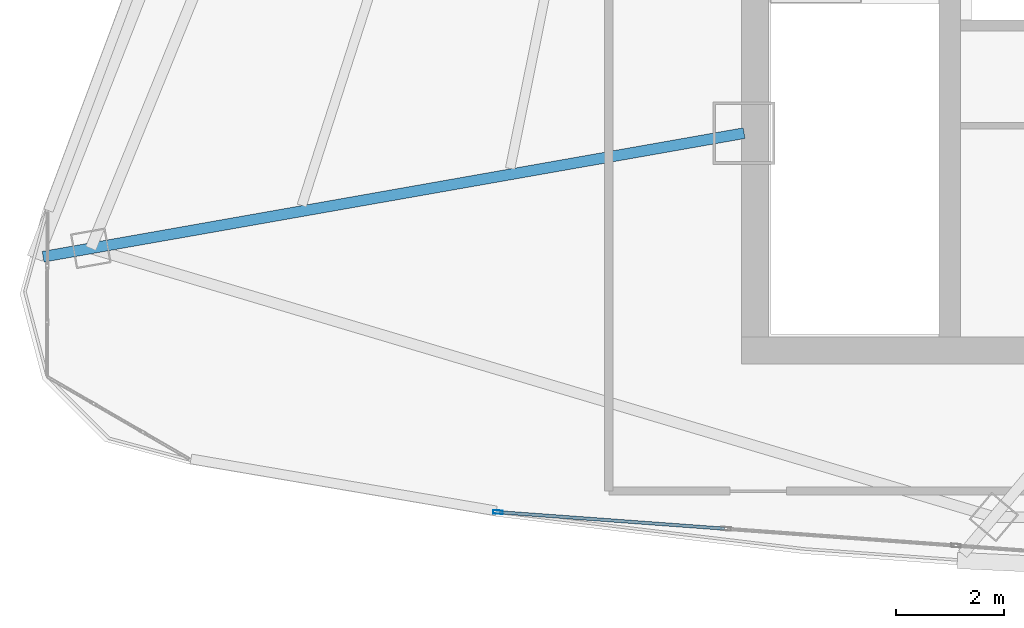
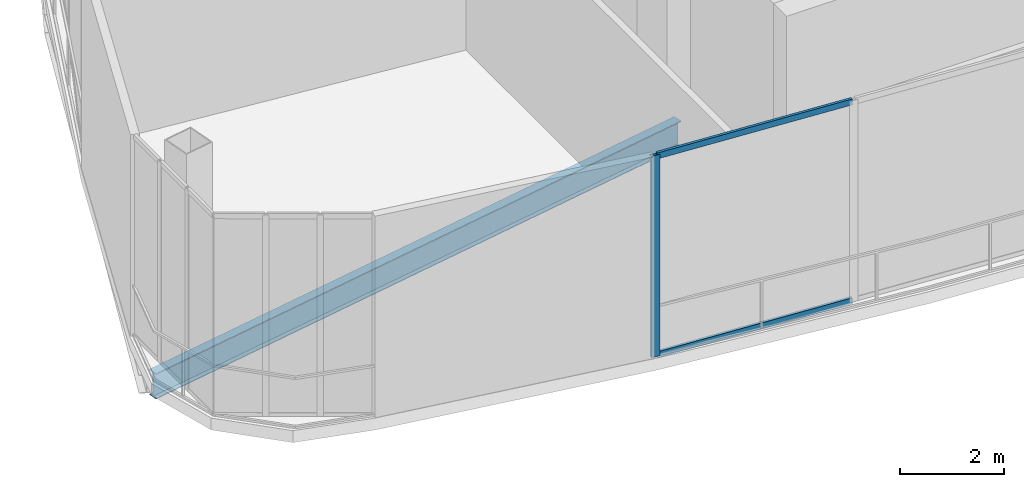
# One storey, part 3 of 32: 3 members, 1 beam, 1 element without a shape of its own.
"""IFC4 building model written with IfcOpenShell, lengths in metres."""

from ifc_helpers import new_model, si_unit, direction, frame, origin, origin_2d, place, context, subcontext, project, spatial, hollow_rectangle, i_section, extrude, source, transform, mapped, material, layer, layer_set, material_profile, profile_set, type_object, element, aggregate, save


model = new_model("IFC4")

# Units and contexts
model_context = context("Model", 3, precision=1e-05, world=origin(), true_north=direction((0.0, 1.0)))
body_context = subcontext(model_context, "Body", "Model", "MODEL_VIEW")
ifc_project = project(units=[si_unit("LENGTHUNIT", "METRE"), si_unit("AREAUNIT", "SQUARE_METRE"), si_unit("VOLUMEUNIT", "CUBIC_METRE"), si_unit("PLANEANGLEUNIT", "RADIAN"), si_unit("MASSUNIT", "GRAM", prefix="KILO"), si_unit("THERMODYNAMICTEMPERATUREUNIT", "KELVIN"), si_unit("POWERUNIT", "WATT")], contexts=[model_context])

# Site, building, storey
site_placement = place(None, origin())
site = spatial("IfcSite", under=ifc_project, at=site_placement, CompositionType="ELEMENT")
building_placement = place(site_placement, origin())
building = spatial("IfcBuilding", under=site, at=building_placement, Name="Yunzhuo Pagoda Commons", CompositionType="ELEMENT")
storey_placement = place(building_placement, frame((0.0, 0.0, 396.760009765625)))
storey = spatial("IfcBuildingStorey", under=building, at=storey_placement, Name="L98", CompositionType="ELEMENT", Elevation=396.760009765625)

# Beam
ifc_material_1 = material(Name="Structural steel Q355B", Category="steel")
ifc_material_profile_1 = material_profile(ifc_material_1, i_section(OverallWidth=0.199951171875, OverallDepth=0.60009765625, WebThickness=0.010986328125, FlangeThickness=0.01708984375, at=origin_2d()), Name="Structural steel Q355B")
ifc_profile_set_1 = profile_set([ifc_material_profile_1], Name="Structural steel Q355B")
beam_type = type_object("IfcBeamType", Name="B-RG3 Beam HN 600x200x11x17", PredefinedType="BEAM", material=ifc_profile_set_1)
shared_shape_1 = source(origin(), body_context, "Body", "SweptSolid", [
    extrude(i_section(OverallWidth=0.199951171875, OverallDepth=0.60009765625, WebThickness=0.010986328125, FlangeThickness=0.01708984375, at=origin_2d()), origin(), (0.0, 0.0, 1.0), 13.151123046875),
])
beam_placement = place(storey_placement, frame((22.648681640625, 29.229736328125, -0.580078125), z_axis=(0.984807657771, 0.173648717804, 0.0), x_axis=(-0.173648717804, 0.984807657771, 0.0)))
element("IfcBeam", 1, at=beam_placement, inside=storey, type_object=beam_type, Name="L98 radial floor girder F3C4", PredefinedType="BEAM", context=body_context, shape_type="MappedRepresentation", body=[
    mapped(shared_shape_1, transform((0.0, 0.0, 0.0), scale=1.0)),
])

# Curtain wall, members
ifc_material_2 = material(Name="Anodized aluminium 6063-T6", Category="aluminium")
ifc_layer = layer(ifc_material_2, 0.179931640625)
ifc_layer_set = layer_set([ifc_layer], Name="Anodized aluminium 6063-T6")
curtain_wall_type = type_object("IfcCurtainWallType", Name="CW-CRN Crown Gable Glazing System", PredefinedType="NOTDEFINED", material=ifc_layer_set)
curtain_wall_placement = place(storey_placement, origin())
curtain_wall = element("IfcCurtainWall", 2, at=curtain_wall_placement, inside=storey, type_object=curtain_wall_type, Name="L98 curtain wall CW-L98-CRNF1G1", PredefinedType="NOTDEFINED")
ifc_material_profile_2 = material_profile(ifc_material_2, hollow_rectangle(XDim=0.06494140625, YDim=0.179931640625, WallThickness=0.00390625, at=origin_2d()), Name="Anodized aluminium 6063-T6")
ifc_profile_set_2 = profile_set([ifc_material_profile_2], Name="Anodized aluminium 6063-T6")
member_type_1 = type_object("IfcMemberType", Name="CW-CRN-M Mullion RHS 180x65x4", PredefinedType="MULLION", material=ifc_profile_set_2)
shared_shape_2 = source(origin(), body_context, "Body", "SweptSolid", [
    extrude(hollow_rectangle(XDim=0.06494140625, YDim=0.179931640625, WallThickness=0.00390625, at=origin_2d()), origin(), (0.0, 0.0, 1.0), 4.72021484375),
])
member_1_placement = place(storey_placement, frame((31.053466796875, 24.511474609375, 0.0), z_axis=(0.0, 0.0, 1.0), x_axis=(0.072795570763, 0.997346882924, 0.0)))
member_1 = element("IfcMember", 3, at=member_1_placement, type_object=member_type_1, Name="CW mullion 1", PredefinedType="MULLION", context=body_context, shape_type="MappedRepresentation", body=[
    mapped(shared_shape_2, transform((0.0, 0.0, 0.0), scale=1.0)),
])
ifc_material_profile_3 = material_profile(ifc_material_2, hollow_rectangle(XDim=0.06005859375, YDim=0.139892578125, WallThickness=0.00341796875, at=origin_2d()), Name="Anodized aluminium 6063-T6")
ifc_profile_set_3 = profile_set([ifc_material_profile_3], Name="Anodized aluminium 6063-T6")
member_type_2 = type_object("IfcMemberType", Name="CW-CRN-T Transom RHS 140x60x3.5", PredefinedType="USERDEFINED", material=ifc_profile_set_3)
shared_shape_3 = source(origin(), body_context, "Body", "SweptSolid", [
    extrude(hollow_rectangle(XDim=0.06005859375, YDim=0.139892578125, WallThickness=0.00341796875, at=origin_2d()), origin(), (0.0, 0.0, 1.0), 4.15966796875),
])
member_2_placement = place(storey_placement, frame((31.086181640625, 24.5087890625, 0.030029296875), z_axis=(0.997348185871, -0.072777717324, 0.0), x_axis=(0.072777717324, 0.997348185871, 0.0)))
member_2 = element("IfcMember", 4, at=member_2_placement, type_object=member_type_2, Name="CW transom 1.1", ObjectType="TRANSOM", PredefinedType="USERDEFINED", context=body_context, shape_type="MappedRepresentation", body=[
    mapped(shared_shape_3, transform((0.0, 0.0, 0.0), scale=1.0)),
])
member_3_placement = place(storey_placement, frame((31.086181640625, 24.5087890625, 4.68994140625), z_axis=(0.997348185871, -0.072777717324, 0.0), x_axis=(0.072777717324, 0.997348185871, 0.0)))
member_3 = element("IfcMember", 5, at=member_3_placement, type_object=member_type_2, Name="CW transom 1.2", ObjectType="TRANSOM", PredefinedType="USERDEFINED", context=body_context, shape_type="MappedRepresentation", body=[
    mapped(shared_shape_3, transform((0.0, 0.0, 0.0), scale=1.0)),
])
aggregate(curtain_wall, [member_1, member_2, member_3])

save(model, "model.ifc")
